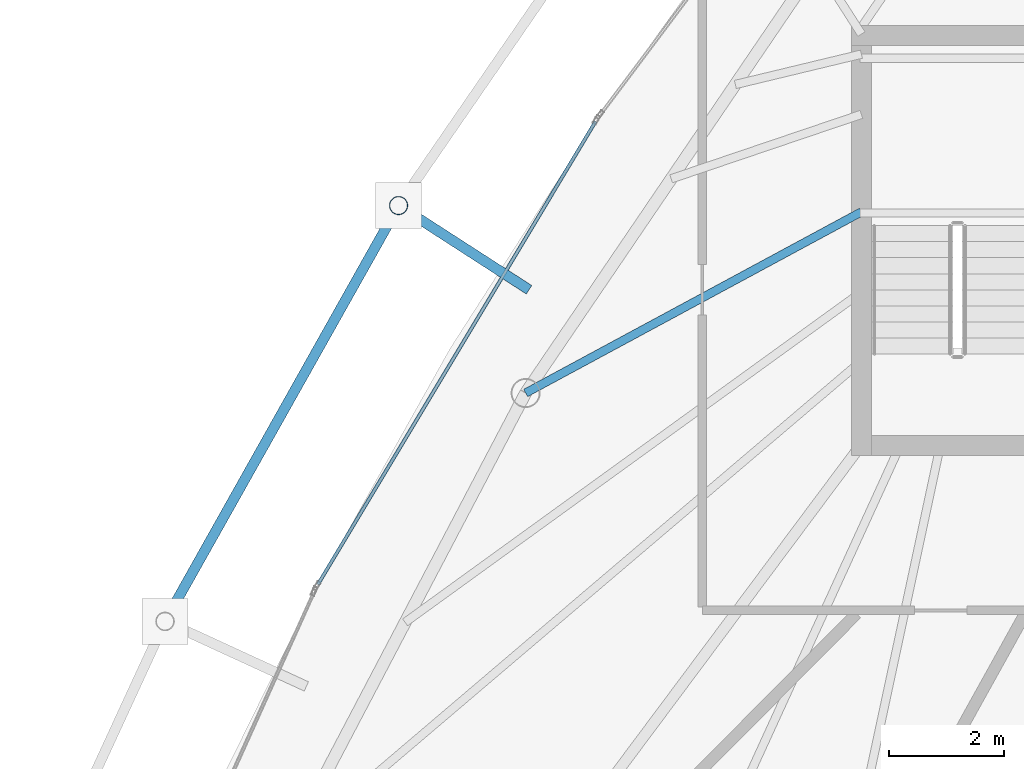
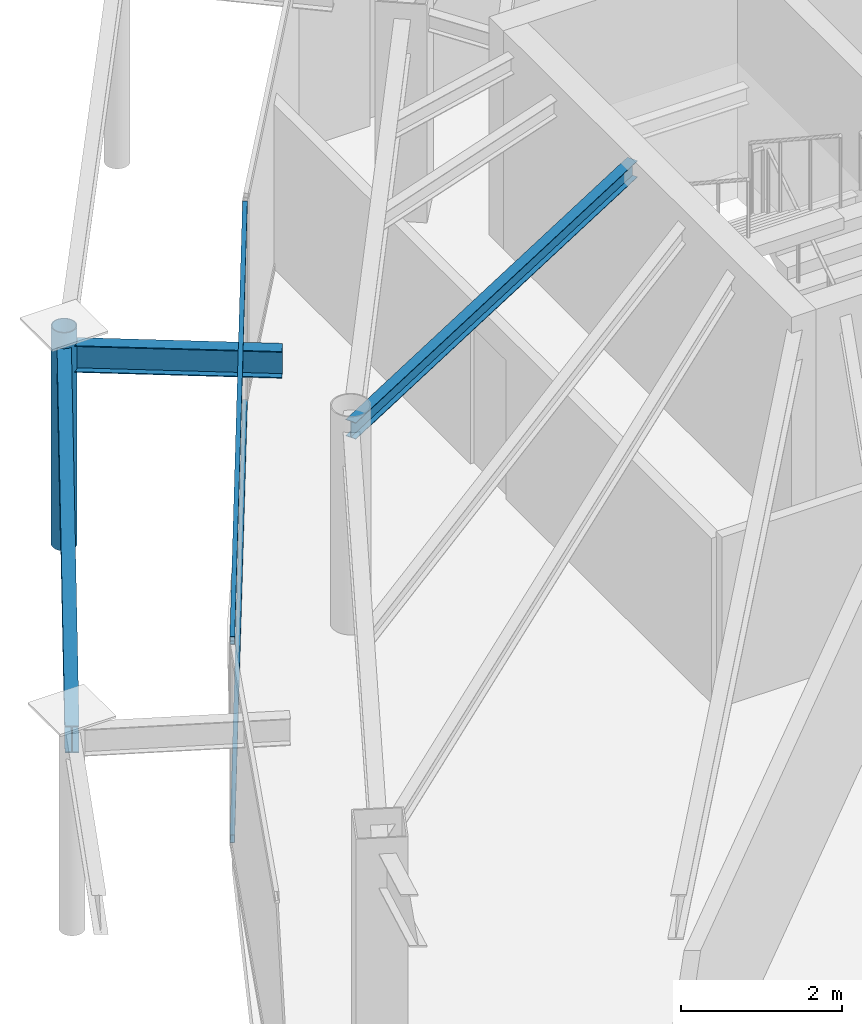
# One storey, part 11 of 29: 3 beams, 3 members, 1 element without a shape of its own.
"""IFC4 building model written with IfcOpenShell, lengths in metres."""

from ifc_helpers import new_model, si_unit, direction, frame, origin, origin_2d, place, context, subcontext, project, spatial, hollow_rectangle, hollow_circle, i_section, extrude, material, layer, layer_set, material_profile, profile_set, type_object, element, aggregate, save


model = new_model("IFC4")

# Units and contexts
model_context = context("Model", 3, precision=1e-05, world=origin(), true_north=direction((0.0, 1.0)))
body_context = subcontext(model_context, "Body", "Model", "MODEL_VIEW")
ifc_project = project(units=[si_unit("LENGTHUNIT", "METRE"), si_unit("AREAUNIT", "SQUARE_METRE"), si_unit("VOLUMEUNIT", "CUBIC_METRE"), si_unit("PLANEANGLEUNIT", "RADIAN"), si_unit("MASSUNIT", "GRAM", prefix="KILO")], contexts=[model_context])

# Site, building, storey
site_placement = place(None, origin())
site = spatial("IfcSite", under=ifc_project, at=site_placement, CompositionType="ELEMENT")
building_placement = place(site_placement, origin())
building = spatial("IfcBuilding", under=site, at=building_placement, Name="Orvanel Arch Residences", CompositionType="ELEMENT")
storey_placement = place(building_placement, frame((0.0, 0.0, 256.85009765625)))
storey = spatial("IfcBuildingStorey", under=building, at=storey_placement, Name="L73", CompositionType="ELEMENT", Elevation=256.85009765625)

# Beams
ifc_material_1 = material(Name="Structural steel AS/NZS 3679.1 Grade 300 (300 MPa)", Category="steel")
ifc_material_profile_1 = material_profile(ifc_material_1, i_section(OverallWidth=0.14599609375, OverallDepth=0.251953125, WebThickness=0.006103515625, FlangeThickness=0.008544921875, at=origin_2d()), Name="250UB31.4")
ifc_profile_set_1 = profile_set([ifc_material_profile_1], Name="Structural steel AS/NZS 3679.1 Grade 300 (300 MPa)")
beam_type_1 = type_object("IfcBeamType", Name="BJ-250UB", PredefinedType="JOIST", material=ifc_profile_set_1)
beam_1_placement = place(storey_placement, frame((26.425048828125, 30.800048828125, 2.933837890625), z_axis=(-0.880111494021, -0.474767056664, 0.0), x_axis=(0.474767056664, -0.880111494021, 0.0)))
element("IfcBeam", 1, at=beam_1_placement, inside=storey, type_object=beam_type_1, Name="L73 NW Wing Floor Joist", PredefinedType="JOIST", context=body_context, shape_type="SweptSolid", body=[
    extrude(i_section(OverallWidth=0.14599609375, OverallDepth=0.251953125, WebThickness=0.006103515625, FlangeThickness=0.008544921875, at=origin_2d()), origin(), (0.0, 0.0, 1.0), 6.653564453125),
])
ifc_material_profile_2 = material_profile(ifc_material_1, i_section(OverallWidth=0.177978515625, OverallDepth=0.406005859375, WebThickness=0.0078125, FlangeThickness=0.0126953125, at=origin_2d()), Name="410UB59.7")
ifc_profile_set_2 = profile_set([ifc_material_profile_2], Name="Structural steel AS/NZS 3679.1 Grade 300 (300 MPa)")
beam_type_2 = type_object("IfcBeamType", Name="OB-410UB-EXT", PredefinedType="SPANDREL", material=ifc_profile_set_2)
beam_2_placement = place(storey_placement, frame((20.62890625, 29.44189453125, 2.85693359375), z_axis=(-0.840239663799, 0.542215185493, 0.0), x_axis=(-0.542215185493, -0.840239663799, 0.0)))
element("IfcBeam", 2, at=beam_2_placement, inside=storey, type_object=beam_type_2, Name="L73 Outer Frame Radial Tie Beam 02", PredefinedType="SPANDREL", context=body_context, shape_type="SweptSolid", body=[
    extrude(i_section(OverallWidth=0.177978515625, OverallDepth=0.406005859375, WebThickness=0.0078125, FlangeThickness=0.0126953125, at=origin_2d()), origin(), (0.0, 0.0, 1.0), 2.70751953125),
])
beam_3_placement = place(storey_placement, frame((18.35400390625, 30.909912109375, 2.85693359375), z_axis=(-0.489742679077, -0.871867024431, 0.0), x_axis=(0.871867024431, -0.489742679077, 0.0)))
element("IfcBeam", 3, at=beam_3_placement, inside=storey, type_object=beam_type_2, Name="L73 Outer Perimeter Floor Ring Beam 02", PredefinedType="SPANDREL", context=body_context, shape_type="SweptSolid", body=[
    extrude(i_section(OverallWidth=0.177978515625, OverallDepth=0.406005859375, WebThickness=0.0078125, FlangeThickness=0.0126953125, at=origin_2d()), origin(), (0.0, 0.0, 1.0), 8.316650390625),
])

# Member
ifc_material_2 = material(Name="Structural steel AS/NZS 1163 C350L0 (Grade 350)", Category="steel")
ifc_material_profile_3 = material_profile(ifc_material_2, hollow_circle(Radius=0.162109375, WallThickness=0.0126953125, at=origin_2d()), Name="CHS324x12.7")
ifc_profile_set_3 = profile_set([ifc_material_profile_3], Name="Structural steel AS/NZS 1163 C350L0 (Grade 350)")
member_type_1 = type_object("IfcMemberType", Name="ST-324CHS-EXT", PredefinedType="STRUT", material=ifc_profile_set_3)
member_1_placement = place(storey_placement, frame((18.35400390625, 30.909912109375, 0.0), z_axis=(0.0, 0.0, 1.0), x_axis=(1.0, 0.0, 0.0)))
element("IfcMember", 4, at=member_1_placement, inside=storey, type_object=member_type_1, Name="L73 Outer Perimeter Frame Post 02", PredefinedType="STRUT", context=body_context, shape_type="SweptSolid", body=[
    extrude(hollow_circle(Radius=0.162109375, WallThickness=0.0126953125, at=origin_2d()), origin(), (0.0, 0.0, 1.0), 3.2998046875),
])

# Curtain wall, members
ifc_material_3 = material(Name="Bronze-anodised aluminium AA6063-T6", Category="aluminium")
ifc_layer = layer(ifc_material_3, 0.175048828125)
ifc_layer_set = layer_set([ifc_layer], Name="Bronze-anodised aluminium AA6063-T6")
curtain_wall_type = type_object("IfcCurtainWallType", Name="CW4-HI-SYS", PredefinedType="NOTDEFINED", material=ifc_layer_set)
curtain_wall_placement = place(storey_placement, origin())
curtain_wall = element("IfcCurtainWall", 5, at=curtain_wall_placement, inside=storey, type_object=curtain_wall_type, Name="L73 CW4-HI-SYS Unitised Curtain Wall", PredefinedType="NOTDEFINED")
ifc_material_profile_4 = material_profile(ifc_material_3, hollow_rectangle(XDim=0.06005859375, YDim=0.1201171875, WallThickness=0.00341796875, at=origin_2d()), Name="ALU120x60x3.5")
ifc_profile_set_4 = profile_set([ifc_material_profile_4], Name="Bronze-anodised aluminium AA6063-T6")
member_type_2 = type_object("IfcMemberType", Name="TRN-120x60", PredefinedType="USERDEFINED", material=ifc_profile_set_4)
member_2_placement = place(storey_placement, frame((21.78857421875, 32.375244140625, 0.02978515625), z_axis=(-0.514350793048, -0.857579886478, 0.0), x_axis=(0.857579886478, -0.514350793048, 0.0)))
member_2 = element("IfcMember", 6, at=member_2_placement, type_object=member_type_2, Name="CW-S4 transom 1.1", ObjectType="TRANSOM", PredefinedType="USERDEFINED", context=body_context, shape_type="SweptSolid", body=[
    extrude(hollow_rectangle(XDim=0.06005859375, YDim=0.1201171875, WallThickness=0.00341796875, at=origin_2d()), origin(), (0.0, 0.0, 1.0), 9.412109375),
])
member_3_placement = place(storey_placement, frame((21.78857421875, 32.375244140625, 3.02978515625), z_axis=(-0.514350793048, -0.857579886478, 0.0), x_axis=(0.857579886478, -0.514350793048, 0.0)))
member_3 = element("IfcMember", 7, at=member_3_placement, type_object=member_type_2, Name="CW-S4 transom 1.2", ObjectType="TRANSOM", PredefinedType="USERDEFINED", context=body_context, shape_type="SweptSolid", body=[
    extrude(hollow_rectangle(XDim=0.06005859375, YDim=0.1201171875, WallThickness=0.00341796875, at=origin_2d()), origin(), (0.0, 0.0, 1.0), 9.412109375),
])
aggregate(curtain_wall, [member_2, member_3])

save(model, "model.ifc")
